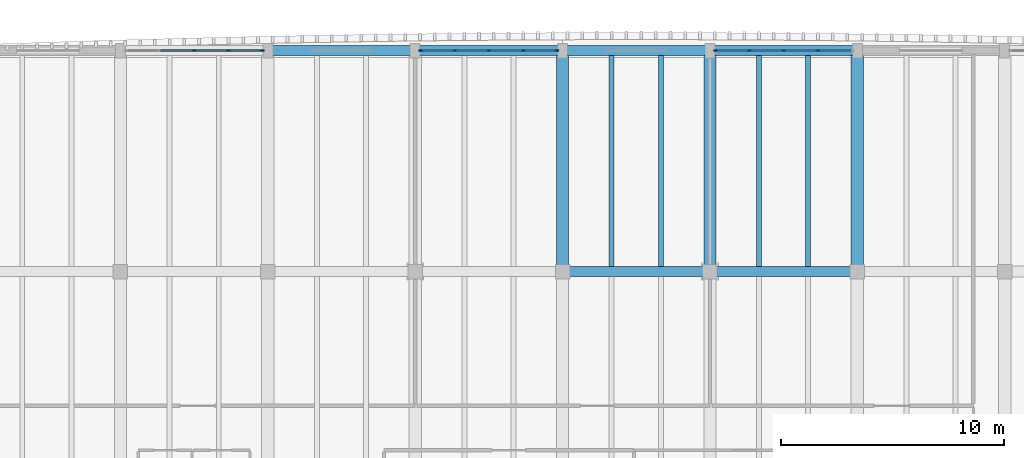
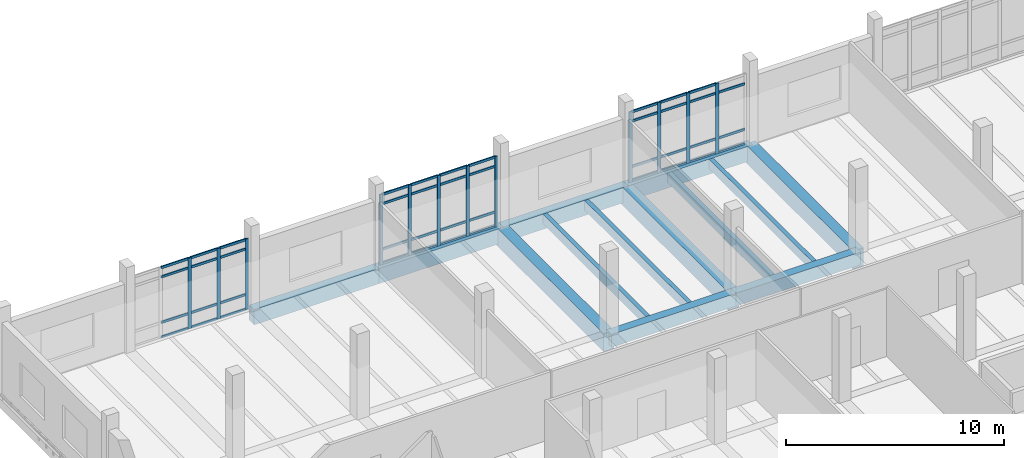
# One storey, part 31 of 76: 55 members, 13 beams, 3 elements without a shape of their own.
"""IFC4 building model written with IfcOpenShell, lengths in metres."""

from ifc_helpers import new_model, si_unit, direction, frame, origin, origin_2d, place, context, subcontext, project, spatial, rectangle, extrude, material, material_profile, profile_set, type_object, element, aggregate, save


model = new_model("IFC4")

# Units and contexts
model_context = context("Model", 3, precision=1e-05, world=origin(), true_north=direction((0.0, 1.0)))
body_context = subcontext(model_context, "Body", "Model", "MODEL_VIEW")
ifc_project = project(units=[si_unit("LENGTHUNIT", "METRE"), si_unit("AREAUNIT", "SQUARE_METRE"), si_unit("VOLUMEUNIT", "CUBIC_METRE"), si_unit("PLANEANGLEUNIT", "RADIAN"), si_unit("MASSUNIT", "GRAM", prefix="KILO")], contexts=[model_context])

# Site, building, storey
site_placement = place(None, origin())
site = spatial("IfcSite", under=ifc_project, at=site_placement, CompositionType="ELEMENT")
building_placement = place(site_placement, origin())
building = spatial("IfcBuilding", under=site, at=building_placement, Name="Dornvale Research Institute", CompositionType="ELEMENT")
storey_placement = place(building_placement, frame((0.0, 0.0, 15.0)))
storey = spatial("IfcBuildingStorey", under=building, at=storey_placement, Name="L03", CompositionType="ELEMENT", Elevation=15.0)

# Beams
ifc_material_1 = material(Name="Concrete f'c 45 MPa (C35/45)", Category="concrete")
ifc_material_profile_1 = material_profile(ifc_material_1, rectangle(XDim=0.449951171875, YDim=0.715087890625, at=origin_2d()), Name="RC 450x715")
ifc_profile_set_1 = profile_set([ifc_material_profile_1], Name="Concrete f'c 45 MPa (C35/45)")
beam_type_1 = type_object("IfcBeamType", Name="Beam_RC450x715_Lab", PredefinedType="BEAM", material=ifc_profile_set_1)
beam_1_placement = place(storey_placement, frame((145.199951171875, 112.199951171875, -0.357421875), z_axis=(1.0, 0.0, 0.0), x_axis=(0.0, 1.0, 0.0)))
element("IfcBeam", 1, at=beam_1_placement, inside=storey, type_object=beam_type_1, Name="L03 primary girder #938", PredefinedType="BEAM", context=body_context, shape_type="SweptSolid", body=[
    extrude(rectangle(XDim=0.449951171875, YDim=0.715087890625, at=origin_2d()), origin(), (0.0, 0.0, 1.0), 6.60009765625),
])
beam_2_placement = place(storey_placement, frame((151.800048828125, 112.199951171875, -0.357421875), z_axis=(1.0, 0.0, 0.0), x_axis=(0.0, 1.0, 0.0)))
element("IfcBeam", 2, at=beam_2_placement, inside=storey, type_object=beam_type_1, Name="L03 primary girder #939", PredefinedType="BEAM", context=body_context, shape_type="SweptSolid", body=[
    extrude(rectangle(XDim=0.449951171875, YDim=0.715087890625, at=origin_2d()), origin(), (0.0, 0.0, 1.0), 6.599853515625),
])
ifc_material_2 = material(Name="Concrete f'c 45 MPa (C35/45)", Category="concrete")
ifc_material_profile_2 = material_profile(ifc_material_2, rectangle(XDim=0.550048828125, YDim=1.0, at=origin_2d()), Name="RC 550x1000")
ifc_profile_set_2 = profile_set([ifc_material_profile_2], Name="Concrete f'c 45 MPa (C35/45)")
beam_type_2 = type_object("IfcBeamType", Name="Beam_RC550x1000_Girder", PredefinedType="BEAM", material=ifc_profile_set_2)
for number, where, z_axis, x_axis, name in (
    (3, (145.199951171875, 112.199951171875, -0.5), (0.0, 1.0, 0.0), (-1.0, 0.0, 0.0), "L03 transverse girder #965"),
    (4, (151.800048828125, 112.199951171875, -0.5), (0.0, 1.0, 0.0), (-1.0, 0.0, 0.0), "L03 transverse girder #968"),
    (5, (158.39990234375, 112.199951171875, -0.5), (0.0, 1.0, 0.0), (-1.0, 0.0, 0.0), "L03 transverse girder #970"),
):
    element("IfcBeam", number, at=place(storey_placement, frame(where, z_axis=z_axis, x_axis=x_axis)), inside=storey, type_object=beam_type_2, Name=name, PredefinedType="BEAM", context=body_context, shape_type="SweptSolid", body=[
        extrude(rectangle(XDim=0.550048828125, YDim=1.0, at=origin_2d()), origin(), (0.0, 0.0, 1.0), 9.900146484375),
    ])
ifc_material_3 = material(Name="Concrete f'c 45 MPa (C35/45)", Category="concrete")
ifc_material_profile_3 = material_profile(ifc_material_3, rectangle(XDim=0.219970703125, YDim=0.534912109375, at=origin_2d()), Name="RC 220x535")
ifc_profile_set_3 = profile_set([ifc_material_profile_3], Name="Concrete f'c 45 MPa (C35/45)")
beam_type_3 = type_object("IfcBeamType", Name="Joist_RC220x535_Waffle", PredefinedType="JOIST", material=ifc_profile_set_3)
for number, where, z_axis, x_axis, name in (
    (6, (147.39990234375, 112.425048828125, -0.267578125), (0.0, 1.0, 0.0), (-1.0, 0.0, 0.0), "L03 laboratory waffle joist #474"),
    (7, (149.60009765625, 112.425048828125, -0.267578125), (0.0, 1.0, 0.0), (-1.0, 0.0, 0.0), "L03 laboratory waffle joist #475"),
    (8, (154.0, 112.425048828125, -0.267578125), (0.0, 1.0, 0.0), (-1.0, 0.0, 0.0), "L03 laboratory waffle joist #478"),
    (9, (156.199951171875, 112.425048828125, -0.267578125), (0.0, 1.0, 0.0), (-1.0, 0.0, 0.0), "L03 laboratory waffle joist #479"),
):
    element("IfcBeam", number, at=place(storey_placement, frame(where, z_axis=z_axis, x_axis=x_axis)), inside=storey, type_object=beam_type_3, Name=name, PredefinedType="JOIST", context=body_context, shape_type="SweptSolid", body=[
        extrude(rectangle(XDim=0.219970703125, YDim=0.534912109375, at=origin_2d()), origin(), (0.0, 0.0, 1.0), 9.449951171875),
    ])

# Curtain wall, members
ifc_material_4 = material(Name="Low-E Argon Double Insulating Glazing Unit", Category="glass")
curtain_wall_type = type_object("IfcCurtainWallType", Name="UnitisedCurtainWall_V4_6150x3950", PredefinedType="USERDEFINED", material=ifc_material_4)
curtain_wall_1_placement = place(storey_placement, origin())
curtain_wall_1 = element("IfcCurtainWall", 10, at=curtain_wall_1_placement, inside=storey, type_object=curtain_wall_type, Name="L03 V4 unitised curtain wall CW-15 #91", ObjectType="UNITISED CURTAIN WALL", PredefinedType="USERDEFINED")
ifc_material_5 = material(Name="Anodized Aluminum AA 6063-T6 Thermally Broken Frame", Category="aluminium")
ifc_material_profile_4 = material_profile(ifc_material_5, rectangle(XDim=0.06494140625, YDim=0.179931640625, at=origin_2d()), Name="ALU MULLION 65x180")
ifc_profile_set_4 = profile_set([ifc_material_profile_4], Name="Anodized Aluminum AA 6063-T6 Thermally Broken Frame")
member_type_1 = type_object("IfcMemberType", Name="Mullion_CW_65x180", PredefinedType="MULLION", material=ifc_profile_set_4)
member_1_placement = place(storey_placement, frame((128.699951171875, 122.10009765625, 0.0), z_axis=(0.0, 0.0, 1.0), x_axis=(0.0, 1.0, 0.0)))
member_1 = element("IfcMember", 11, at=member_1_placement, type_object=member_type_1, Name="CW-15 mullion 3", PredefinedType="MULLION", context=body_context, shape_type="SweptSolid", body=[
    extrude(rectangle(XDim=0.06494140625, YDim=0.179931640625, at=origin_2d()), origin(), (0.0, 0.0, 1.0), 3.949951171875),
])
member_2_placement = place(storey_placement, frame((130.237548828125, 122.10009765625, 0.0), z_axis=(0.0, 0.0, 1.0), x_axis=(0.0, 1.0, 0.0)))
member_2 = element("IfcMember", 12, at=member_2_placement, type_object=member_type_1, Name="CW-15 mullion 4", PredefinedType="MULLION", context=body_context, shape_type="SweptSolid", body=[
    extrude(rectangle(XDim=0.06494140625, YDim=0.179931640625, at=origin_2d()), origin(), (0.0, 0.0, 1.0), 3.949951171875),
])
member_3_placement = place(storey_placement, frame((131.742431640625, 122.10009765625, 0.0), z_axis=(0.0, 0.0, 1.0), x_axis=(0.0, 1.0, 0.0)))
member_3 = element("IfcMember", 13, at=member_3_placement, type_object=member_type_1, Name="CW-15 mullion 5", PredefinedType="MULLION", context=body_context, shape_type="SweptSolid", body=[
    extrude(rectangle(XDim=0.06494140625, YDim=0.179931640625, at=origin_2d()), origin(), (0.0, 0.0, 1.0), 3.949951171875),
])

curtain_wall_2_placement = place(storey_placement, origin())
curtain_wall_2 = element("IfcCurtainWall", 14, at=curtain_wall_2_placement, inside=storey, type_object=curtain_wall_type, Name="L03 V4 unitised curtain wall CW-15 #92", ObjectType="UNITISED CURTAIN WALL", PredefinedType="USERDEFINED")
member_4_placement = place(storey_placement, frame((138.857421875, 122.10009765625, 0.0), z_axis=(0.0, 0.0, 1.0), x_axis=(0.0, 1.0, 0.0)))
member_4 = element("IfcMember", 15, at=member_4_placement, type_object=member_type_1, Name="CW-15 mullion 1", PredefinedType="MULLION", context=body_context, shape_type="SweptSolid", body=[
    extrude(rectangle(XDim=0.06494140625, YDim=0.179931640625, at=origin_2d()), origin(), (0.0, 0.0, 1.0), 3.949951171875),
])
member_5_placement = place(storey_placement, frame((140.362548828125, 122.10009765625, 0.0), z_axis=(0.0, 0.0, 1.0), x_axis=(0.0, 1.0, 0.0)))
member_5 = element("IfcMember", 16, at=member_5_placement, type_object=member_type_1, Name="CW-15 mullion 2", PredefinedType="MULLION", context=body_context, shape_type="SweptSolid", body=[
    extrude(rectangle(XDim=0.06494140625, YDim=0.179931640625, at=origin_2d()), origin(), (0.0, 0.0, 1.0), 3.949951171875),
])
member_6_placement = place(storey_placement, frame((141.89990234375, 122.10009765625, 0.0), z_axis=(0.0, 0.0, 1.0), x_axis=(0.0, 1.0, 0.0)))
member_6 = element("IfcMember", 17, at=member_6_placement, type_object=member_type_1, Name="CW-15 mullion 3", PredefinedType="MULLION", context=body_context, shape_type="SweptSolid", body=[
    extrude(rectangle(XDim=0.06494140625, YDim=0.179931640625, at=origin_2d()), origin(), (0.0, 0.0, 1.0), 3.949951171875),
])
member_7_placement = place(storey_placement, frame((143.4375, 122.10009765625, 0.0), z_axis=(0.0, 0.0, 1.0), x_axis=(0.0, 1.0, 0.0)))
member_7 = element("IfcMember", 18, at=member_7_placement, type_object=member_type_1, Name="CW-15 mullion 4", PredefinedType="MULLION", context=body_context, shape_type="SweptSolid", body=[
    extrude(rectangle(XDim=0.06494140625, YDim=0.179931640625, at=origin_2d()), origin(), (0.0, 0.0, 1.0), 3.949951171875),
])
member_8_placement = place(storey_placement, frame((144.9423828125, 122.10009765625, 0.0), z_axis=(0.0, 0.0, 1.0), x_axis=(0.0, 1.0, 0.0)))
member_8 = element("IfcMember", 19, at=member_8_placement, type_object=member_type_1, Name="CW-15 mullion 5", PredefinedType="MULLION", context=body_context, shape_type="SweptSolid", body=[
    extrude(rectangle(XDim=0.06494140625, YDim=0.179931640625, at=origin_2d()), origin(), (0.0, 0.0, 1.0), 3.949951171875),
])

curtain_wall_3_placement = place(storey_placement, origin())
curtain_wall_3 = element("IfcCurtainWall", 20, at=curtain_wall_3_placement, inside=storey, type_object=curtain_wall_type, Name="L03 V4 unitised curtain wall CW-15 #93", ObjectType="UNITISED CURTAIN WALL", PredefinedType="USERDEFINED")
member_9_placement = place(storey_placement, frame((152.0576171875, 122.10009765625, 0.0), z_axis=(0.0, 0.0, 1.0), x_axis=(0.0, 1.0, 0.0)))
member_9 = element("IfcMember", 21, at=member_9_placement, type_object=member_type_1, Name="CW-15 mullion 1", PredefinedType="MULLION", context=body_context, shape_type="SweptSolid", body=[
    extrude(rectangle(XDim=0.06494140625, YDim=0.179931640625, at=origin_2d()), origin(), (0.0, 0.0, 1.0), 3.949951171875),
])
member_10_placement = place(storey_placement, frame((153.5625, 122.10009765625, 0.0), z_axis=(0.0, 0.0, 1.0), x_axis=(0.0, 1.0, 0.0)))
member_10 = element("IfcMember", 22, at=member_10_placement, type_object=member_type_1, Name="CW-15 mullion 2", PredefinedType="MULLION", context=body_context, shape_type="SweptSolid", body=[
    extrude(rectangle(XDim=0.06494140625, YDim=0.179931640625, at=origin_2d()), origin(), (0.0, 0.0, 1.0), 3.949951171875),
])
member_11_placement = place(storey_placement, frame((155.10009765625, 122.10009765625, 0.0), z_axis=(0.0, 0.0, 1.0), x_axis=(0.0, 1.0, 0.0)))
member_11 = element("IfcMember", 23, at=member_11_placement, type_object=member_type_1, Name="CW-15 mullion 3", PredefinedType="MULLION", context=body_context, shape_type="SweptSolid", body=[
    extrude(rectangle(XDim=0.06494140625, YDim=0.179931640625, at=origin_2d()), origin(), (0.0, 0.0, 1.0), 3.949951171875),
])
member_12_placement = place(storey_placement, frame((156.637451171875, 122.10009765625, 0.0), z_axis=(0.0, 0.0, 1.0), x_axis=(0.0, 1.0, 0.0)))
member_12 = element("IfcMember", 24, at=member_12_placement, type_object=member_type_1, Name="CW-15 mullion 4", PredefinedType="MULLION", context=body_context, shape_type="SweptSolid", body=[
    extrude(rectangle(XDim=0.06494140625, YDim=0.179931640625, at=origin_2d()), origin(), (0.0, 0.0, 1.0), 3.949951171875),
])

# Beams
ifc_material_6 = material(Name="Concrete f'c 45 MPa (C35/45)", Category="concrete")
ifc_material_profile_5 = material_profile(ifc_material_6, rectangle(XDim=0.449951171875, YDim=0.85009765625, at=origin_2d()), Name="RC 450x850")
ifc_profile_set_5 = profile_set([ifc_material_profile_5], Name="Concrete f'c 45 MPa (C35/45)")
beam_type_4 = type_object("IfcBeamType", Name="Spandrel_RC450x850_Ext", PredefinedType="SPANDREL", material=ifc_profile_set_5)
beam_3_placement = place(storey_placement, frame((132.0, 122.10009765625, -0.425048828125), z_axis=(1.0, 0.0, 0.0), x_axis=(0.0, 1.0, 0.0)))
element("IfcBeam", 25, at=beam_3_placement, inside=storey, type_object=beam_type_4, Name="L03 perimeter spandrel #945", PredefinedType="SPANDREL", context=body_context, shape_type="SweptSolid", body=[
    extrude(rectangle(XDim=0.449951171875, YDim=0.85009765625, at=origin_2d()), origin(), (0.0, 0.0, 1.0), 6.60009765625),
])
beam_4_placement = place(storey_placement, frame((138.60009765625, 122.10009765625, -0.425048828125), z_axis=(1.0, 0.0, 0.0), x_axis=(0.0, 1.0, 0.0)))
element("IfcBeam", 26, at=beam_4_placement, inside=storey, type_object=beam_type_4, Name="L03 perimeter spandrel #946", PredefinedType="SPANDREL", context=body_context, shape_type="SweptSolid", body=[
    extrude(rectangle(XDim=0.449951171875, YDim=0.85009765625, at=origin_2d()), origin(), (0.0, 0.0, 1.0), 6.599853515625),
])
beam_5_placement = place(storey_placement, frame((145.199951171875, 122.10009765625, -0.425048828125), z_axis=(1.0, 0.0, 0.0), x_axis=(0.0, 1.0, 0.0)))
element("IfcBeam", 27, at=beam_5_placement, inside=storey, type_object=beam_type_4, Name="L03 perimeter spandrel #947", PredefinedType="SPANDREL", context=body_context, shape_type="SweptSolid", body=[
    extrude(rectangle(XDim=0.449951171875, YDim=0.85009765625, at=origin_2d()), origin(), (0.0, 0.0, 1.0), 6.60009765625),
])
beam_6_placement = place(storey_placement, frame((151.800048828125, 122.10009765625, -0.425048828125), z_axis=(1.0, 0.0, 0.0), x_axis=(0.0, 1.0, 0.0)))
element("IfcBeam", 28, at=beam_6_placement, inside=storey, type_object=beam_type_4, Name="L03 perimeter spandrel #948", PredefinedType="SPANDREL", context=body_context, shape_type="SweptSolid", body=[
    extrude(rectangle(XDim=0.449951171875, YDim=0.85009765625, at=origin_2d()), origin(), (0.0, 0.0, 1.0), 6.599853515625),
])

# Member
ifc_material_7 = material(Name="Anodized Aluminum AA 6063-T6 Thermally Broken Frame", Category="aluminium")
ifc_material_profile_6 = material_profile(ifc_material_7, rectangle(XDim=0.06494140625, YDim=0.135009765625, at=origin_2d()), Name="ALU TRANSOM 65x135")
ifc_profile_set_6 = profile_set([ifc_material_profile_6], Name="Anodized Aluminum AA 6063-T6 Thermally Broken Frame")
member_type_2 = type_object("IfcMemberType", Name="Transom_CW_65x135", PredefinedType="USERDEFINED", material=ifc_profile_set_6)
member_13_placement = place(storey_placement, frame((127.195068359375, 122.10009765625, 0.032470703125), z_axis=(1.0, 0.0, 0.0), x_axis=(0.0, 1.0, 0.0)))
member_13 = element("IfcMember", 29, at=member_13_placement, type_object=member_type_2, Name="CW-15 transom 2.1", ObjectType="TRANSOM", PredefinedType="USERDEFINED", context=body_context, shape_type="SweptSolid", body=[
    extrude(rectangle(XDim=0.06494140625, YDim=0.135009765625, at=origin_2d()), origin(), (0.0, 0.0, 1.0), 1.472412109375),
])

member_14_placement = place(storey_placement, frame((127.195068359375, 122.10009765625, 0.85009765625), z_axis=(1.0, 0.0, 0.0), x_axis=(0.0, 1.0, 0.0)))
member_14 = element("IfcMember", 30, at=member_14_placement, type_object=member_type_2, Name="CW-15 transom 2.2", ObjectType="TRANSOM", PredefinedType="USERDEFINED", context=body_context, shape_type="SweptSolid", body=[
    extrude(rectangle(XDim=0.06494140625, YDim=0.135009765625, at=origin_2d()), origin(), (0.0, 0.0, 1.0), 1.472412109375),
])

member_15_placement = place(storey_placement, frame((127.195068359375, 122.10009765625, 3.39990234375), z_axis=(1.0, 0.0, 0.0), x_axis=(0.0, 1.0, 0.0)))
member_15 = element("IfcMember", 31, at=member_15_placement, type_object=member_type_2, Name="CW-15 transom 2.3", ObjectType="TRANSOM", PredefinedType="USERDEFINED", context=body_context, shape_type="SweptSolid", body=[
    extrude(rectangle(XDim=0.06494140625, YDim=0.135009765625, at=origin_2d()), origin(), (0.0, 0.0, 1.0), 1.472412109375),
])

member_16_placement = place(storey_placement, frame((127.195068359375, 122.10009765625, 3.91748046875), z_axis=(1.0, 0.0, 0.0), x_axis=(0.0, 1.0, 0.0)))
member_16 = element("IfcMember", 32, at=member_16_placement, type_object=member_type_2, Name="CW-15 transom 2.4", ObjectType="TRANSOM", PredefinedType="USERDEFINED", context=body_context, shape_type="SweptSolid", body=[
    extrude(rectangle(XDim=0.06494140625, YDim=0.135009765625, at=origin_2d()), origin(), (0.0, 0.0, 1.0), 1.472412109375),
])

member_17_placement = place(storey_placement, frame((128.732421875, 122.10009765625, 0.032470703125), z_axis=(1.0, 0.0, 0.0), x_axis=(0.0, 1.0, 0.0)))
member_17 = element("IfcMember", 33, at=member_17_placement, type_object=member_type_2, Name="CW-15 transom 3.1", ObjectType="TRANSOM", PredefinedType="USERDEFINED", context=body_context, shape_type="SweptSolid", body=[
    extrude(rectangle(XDim=0.06494140625, YDim=0.135009765625, at=origin_2d()), origin(), (0.0, 0.0, 1.0), 1.47265625),
])

member_18_placement = place(storey_placement, frame((128.732421875, 122.10009765625, 0.85009765625), z_axis=(1.0, 0.0, 0.0), x_axis=(0.0, 1.0, 0.0)))
member_18 = element("IfcMember", 34, at=member_18_placement, type_object=member_type_2, Name="CW-15 transom 3.2", ObjectType="TRANSOM", PredefinedType="USERDEFINED", context=body_context, shape_type="SweptSolid", body=[
    extrude(rectangle(XDim=0.06494140625, YDim=0.135009765625, at=origin_2d()), origin(), (0.0, 0.0, 1.0), 1.47265625),
])

member_19_placement = place(storey_placement, frame((128.732421875, 122.10009765625, 3.39990234375), z_axis=(1.0, 0.0, 0.0), x_axis=(0.0, 1.0, 0.0)))
member_19 = element("IfcMember", 35, at=member_19_placement, type_object=member_type_2, Name="CW-15 transom 3.3", ObjectType="TRANSOM", PredefinedType="USERDEFINED", context=body_context, shape_type="SweptSolid", body=[
    extrude(rectangle(XDim=0.06494140625, YDim=0.135009765625, at=origin_2d()), origin(), (0.0, 0.0, 1.0), 1.47265625),
])

member_20_placement = place(storey_placement, frame((128.732421875, 122.10009765625, 3.91748046875), z_axis=(1.0, 0.0, 0.0), x_axis=(0.0, 1.0, 0.0)))
member_20 = element("IfcMember", 36, at=member_20_placement, type_object=member_type_2, Name="CW-15 transom 3.4", ObjectType="TRANSOM", PredefinedType="USERDEFINED", context=body_context, shape_type="SweptSolid", body=[
    extrude(rectangle(XDim=0.06494140625, YDim=0.135009765625, at=origin_2d()), origin(), (0.0, 0.0, 1.0), 1.47265625),
])

member_21_placement = place(storey_placement, frame((130.27001953125, 122.10009765625, 0.032470703125), z_axis=(1.0, 0.0, 0.0), x_axis=(0.0, 1.0, 0.0)))
member_21 = element("IfcMember", 37, at=member_21_placement, type_object=member_type_2, Name="CW-15 transom 4.1", ObjectType="TRANSOM", PredefinedType="USERDEFINED", context=body_context, shape_type="SweptSolid", body=[
    extrude(rectangle(XDim=0.06494140625, YDim=0.135009765625, at=origin_2d()), origin(), (0.0, 0.0, 1.0), 1.43994140625),
])

member_22_placement = place(storey_placement, frame((130.27001953125, 122.10009765625, 0.85009765625), z_axis=(1.0, 0.0, 0.0), x_axis=(0.0, 1.0, 0.0)))
member_22 = element("IfcMember", 38, at=member_22_placement, type_object=member_type_2, Name="CW-15 transom 4.2", ObjectType="TRANSOM", PredefinedType="USERDEFINED", context=body_context, shape_type="SweptSolid", body=[
    extrude(rectangle(XDim=0.06494140625, YDim=0.135009765625, at=origin_2d()), origin(), (0.0, 0.0, 1.0), 1.43994140625),
])

member_23_placement = place(storey_placement, frame((130.27001953125, 122.10009765625, 3.39990234375), z_axis=(1.0, 0.0, 0.0), x_axis=(0.0, 1.0, 0.0)))
member_23 = element("IfcMember", 39, at=member_23_placement, type_object=member_type_2, Name="CW-15 transom 4.3", ObjectType="TRANSOM", PredefinedType="USERDEFINED", context=body_context, shape_type="SweptSolid", body=[
    extrude(rectangle(XDim=0.06494140625, YDim=0.135009765625, at=origin_2d()), origin(), (0.0, 0.0, 1.0), 1.43994140625),
])

member_24_placement = place(storey_placement, frame((130.27001953125, 122.10009765625, 3.91748046875), z_axis=(1.0, 0.0, 0.0), x_axis=(0.0, 1.0, 0.0)))
member_24 = element("IfcMember", 40, at=member_24_placement, type_object=member_type_2, Name="CW-15 transom 4.4", ObjectType="TRANSOM", PredefinedType="USERDEFINED", context=body_context, shape_type="SweptSolid", body=[
    extrude(rectangle(XDim=0.06494140625, YDim=0.135009765625, at=origin_2d()), origin(), (0.0, 0.0, 1.0), 1.43994140625),
])

aggregate(curtain_wall_1, [member_1, member_2, member_3, member_13, member_14, member_15, member_16, member_17, member_18, member_19, member_20, member_21, member_22, member_23, member_24])

member_25_placement = place(storey_placement, frame((138.889892578125, 122.10009765625, 0.032470703125), z_axis=(1.0, 0.0, 0.0), x_axis=(0.0, 1.0, 0.0)))
member_25 = element("IfcMember", 41, at=member_25_placement, type_object=member_type_2, Name="CW-15 transom 1.1", ObjectType="TRANSOM", PredefinedType="USERDEFINED", context=body_context, shape_type="SweptSolid", body=[
    extrude(rectangle(XDim=0.06494140625, YDim=0.135009765625, at=origin_2d()), origin(), (0.0, 0.0, 1.0), 1.440185546875),
])

member_26_placement = place(storey_placement, frame((138.889892578125, 122.10009765625, 0.85009765625), z_axis=(1.0, 0.0, 0.0), x_axis=(0.0, 1.0, 0.0)))
member_26 = element("IfcMember", 42, at=member_26_placement, type_object=member_type_2, Name="CW-15 transom 1.2", ObjectType="TRANSOM", PredefinedType="USERDEFINED", context=body_context, shape_type="SweptSolid", body=[
    extrude(rectangle(XDim=0.06494140625, YDim=0.135009765625, at=origin_2d()), origin(), (0.0, 0.0, 1.0), 1.440185546875),
])

member_27_placement = place(storey_placement, frame((138.889892578125, 122.10009765625, 3.39990234375), z_axis=(1.0, 0.0, 0.0), x_axis=(0.0, 1.0, 0.0)))
member_27 = element("IfcMember", 43, at=member_27_placement, type_object=member_type_2, Name="CW-15 transom 1.3", ObjectType="TRANSOM", PredefinedType="USERDEFINED", context=body_context, shape_type="SweptSolid", body=[
    extrude(rectangle(XDim=0.06494140625, YDim=0.135009765625, at=origin_2d()), origin(), (0.0, 0.0, 1.0), 1.440185546875),
])

member_28_placement = place(storey_placement, frame((138.889892578125, 122.10009765625, 3.91748046875), z_axis=(1.0, 0.0, 0.0), x_axis=(0.0, 1.0, 0.0)))
member_28 = element("IfcMember", 44, at=member_28_placement, type_object=member_type_2, Name="CW-15 transom 1.4", ObjectType="TRANSOM", PredefinedType="USERDEFINED", context=body_context, shape_type="SweptSolid", body=[
    extrude(rectangle(XDim=0.06494140625, YDim=0.135009765625, at=origin_2d()), origin(), (0.0, 0.0, 1.0), 1.440185546875),
])

member_29_placement = place(storey_placement, frame((140.39501953125, 122.10009765625, 0.032470703125), z_axis=(1.0, 0.0, 0.0), x_axis=(0.0, 1.0, 0.0)))
member_29 = element("IfcMember", 45, at=member_29_placement, type_object=member_type_2, Name="CW-15 transom 2.1", ObjectType="TRANSOM", PredefinedType="USERDEFINED", context=body_context, shape_type="SweptSolid", body=[
    extrude(rectangle(XDim=0.06494140625, YDim=0.135009765625, at=origin_2d()), origin(), (0.0, 0.0, 1.0), 1.472412109375),
])

member_30_placement = place(storey_placement, frame((140.39501953125, 122.10009765625, 0.85009765625), z_axis=(1.0, 0.0, 0.0), x_axis=(0.0, 1.0, 0.0)))
member_30 = element("IfcMember", 46, at=member_30_placement, type_object=member_type_2, Name="CW-15 transom 2.2", ObjectType="TRANSOM", PredefinedType="USERDEFINED", context=body_context, shape_type="SweptSolid", body=[
    extrude(rectangle(XDim=0.06494140625, YDim=0.135009765625, at=origin_2d()), origin(), (0.0, 0.0, 1.0), 1.472412109375),
])

member_31_placement = place(storey_placement, frame((140.39501953125, 122.10009765625, 3.39990234375), z_axis=(1.0, 0.0, 0.0), x_axis=(0.0, 1.0, 0.0)))
member_31 = element("IfcMember", 47, at=member_31_placement, type_object=member_type_2, Name="CW-15 transom 2.3", ObjectType="TRANSOM", PredefinedType="USERDEFINED", context=body_context, shape_type="SweptSolid", body=[
    extrude(rectangle(XDim=0.06494140625, YDim=0.135009765625, at=origin_2d()), origin(), (0.0, 0.0, 1.0), 1.472412109375),
])

member_32_placement = place(storey_placement, frame((140.39501953125, 122.10009765625, 3.91748046875), z_axis=(1.0, 0.0, 0.0), x_axis=(0.0, 1.0, 0.0)))
member_32 = element("IfcMember", 48, at=member_32_placement, type_object=member_type_2, Name="CW-15 transom 2.4", ObjectType="TRANSOM", PredefinedType="USERDEFINED", context=body_context, shape_type="SweptSolid", body=[
    extrude(rectangle(XDim=0.06494140625, YDim=0.135009765625, at=origin_2d()), origin(), (0.0, 0.0, 1.0), 1.472412109375),
])

member_33_placement = place(storey_placement, frame((141.9326171875, 122.10009765625, 0.032470703125), z_axis=(1.0, 0.0, 0.0), x_axis=(0.0, 1.0, 0.0)))
member_33 = element("IfcMember", 49, at=member_33_placement, type_object=member_type_2, Name="CW-15 transom 3.1", ObjectType="TRANSOM", PredefinedType="USERDEFINED", context=body_context, shape_type="SweptSolid", body=[
    extrude(rectangle(XDim=0.06494140625, YDim=0.135009765625, at=origin_2d()), origin(), (0.0, 0.0, 1.0), 1.472412109375),
])

member_34_placement = place(storey_placement, frame((141.9326171875, 122.10009765625, 0.85009765625), z_axis=(1.0, 0.0, 0.0), x_axis=(0.0, 1.0, 0.0)))
member_34 = element("IfcMember", 50, at=member_34_placement, type_object=member_type_2, Name="CW-15 transom 3.2", ObjectType="TRANSOM", PredefinedType="USERDEFINED", context=body_context, shape_type="SweptSolid", body=[
    extrude(rectangle(XDim=0.06494140625, YDim=0.135009765625, at=origin_2d()), origin(), (0.0, 0.0, 1.0), 1.472412109375),
])

member_35_placement = place(storey_placement, frame((141.9326171875, 122.10009765625, 3.39990234375), z_axis=(1.0, 0.0, 0.0), x_axis=(0.0, 1.0, 0.0)))
member_35 = element("IfcMember", 51, at=member_35_placement, type_object=member_type_2, Name="CW-15 transom 3.3", ObjectType="TRANSOM", PredefinedType="USERDEFINED", context=body_context, shape_type="SweptSolid", body=[
    extrude(rectangle(XDim=0.06494140625, YDim=0.135009765625, at=origin_2d()), origin(), (0.0, 0.0, 1.0), 1.472412109375),
])

member_36_placement = place(storey_placement, frame((141.9326171875, 122.10009765625, 3.91748046875), z_axis=(1.0, 0.0, 0.0), x_axis=(0.0, 1.0, 0.0)))
member_36 = element("IfcMember", 52, at=member_36_placement, type_object=member_type_2, Name="CW-15 transom 3.4", ObjectType="TRANSOM", PredefinedType="USERDEFINED", context=body_context, shape_type="SweptSolid", body=[
    extrude(rectangle(XDim=0.06494140625, YDim=0.135009765625, at=origin_2d()), origin(), (0.0, 0.0, 1.0), 1.472412109375),
])

member_37_placement = place(storey_placement, frame((143.469970703125, 122.10009765625, 0.032470703125), z_axis=(1.0, 0.0, 0.0), x_axis=(0.0, 1.0, 0.0)))
member_37 = element("IfcMember", 53, at=member_37_placement, type_object=member_type_2, Name="CW-15 transom 4.1", ObjectType="TRANSOM", PredefinedType="USERDEFINED", context=body_context, shape_type="SweptSolid", body=[
    extrude(rectangle(XDim=0.06494140625, YDim=0.135009765625, at=origin_2d()), origin(), (0.0, 0.0, 1.0), 1.43994140625),
])

member_38_placement = place(storey_placement, frame((143.469970703125, 122.10009765625, 0.85009765625), z_axis=(1.0, 0.0, 0.0), x_axis=(0.0, 1.0, 0.0)))
member_38 = element("IfcMember", 54, at=member_38_placement, type_object=member_type_2, Name="CW-15 transom 4.2", ObjectType="TRANSOM", PredefinedType="USERDEFINED", context=body_context, shape_type="SweptSolid", body=[
    extrude(rectangle(XDim=0.06494140625, YDim=0.135009765625, at=origin_2d()), origin(), (0.0, 0.0, 1.0), 1.43994140625),
])

member_39_placement = place(storey_placement, frame((143.469970703125, 122.10009765625, 3.39990234375), z_axis=(1.0, 0.0, 0.0), x_axis=(0.0, 1.0, 0.0)))
member_39 = element("IfcMember", 55, at=member_39_placement, type_object=member_type_2, Name="CW-15 transom 4.3", ObjectType="TRANSOM", PredefinedType="USERDEFINED", context=body_context, shape_type="SweptSolid", body=[
    extrude(rectangle(XDim=0.06494140625, YDim=0.135009765625, at=origin_2d()), origin(), (0.0, 0.0, 1.0), 1.43994140625),
])

member_40_placement = place(storey_placement, frame((143.469970703125, 122.10009765625, 3.91748046875), z_axis=(1.0, 0.0, 0.0), x_axis=(0.0, 1.0, 0.0)))
member_40 = element("IfcMember", 56, at=member_40_placement, type_object=member_type_2, Name="CW-15 transom 4.4", ObjectType="TRANSOM", PredefinedType="USERDEFINED", context=body_context, shape_type="SweptSolid", body=[
    extrude(rectangle(XDim=0.06494140625, YDim=0.135009765625, at=origin_2d()), origin(), (0.0, 0.0, 1.0), 1.43994140625),
])

aggregate(curtain_wall_2, [member_4, member_5, member_6, member_7, member_8, member_25, member_26, member_27, member_28, member_29, member_30, member_31, member_32, member_33, member_34, member_35, member_36, member_37, member_38, member_39, member_40])

member_41_placement = place(storey_placement, frame((152.090087890625, 122.10009765625, 0.032470703125), z_axis=(1.0, 0.0, 0.0), x_axis=(0.0, 1.0, 0.0)))
member_41 = element("IfcMember", 57, at=member_41_placement, type_object=member_type_2, Name="CW-15 transom 1.1", ObjectType="TRANSOM", PredefinedType="USERDEFINED", context=body_context, shape_type="SweptSolid", body=[
    extrude(rectangle(XDim=0.06494140625, YDim=0.135009765625, at=origin_2d()), origin(), (0.0, 0.0, 1.0), 1.43994140625),
])

member_42_placement = place(storey_placement, frame((152.090087890625, 122.10009765625, 0.85009765625), z_axis=(1.0, 0.0, 0.0), x_axis=(0.0, 1.0, 0.0)))
member_42 = element("IfcMember", 58, at=member_42_placement, type_object=member_type_2, Name="CW-15 transom 1.2", ObjectType="TRANSOM", PredefinedType="USERDEFINED", context=body_context, shape_type="SweptSolid", body=[
    extrude(rectangle(XDim=0.06494140625, YDim=0.135009765625, at=origin_2d()), origin(), (0.0, 0.0, 1.0), 1.43994140625),
])

member_43_placement = place(storey_placement, frame((152.090087890625, 122.10009765625, 3.39990234375), z_axis=(1.0, 0.0, 0.0), x_axis=(0.0, 1.0, 0.0)))
member_43 = element("IfcMember", 59, at=member_43_placement, type_object=member_type_2, Name="CW-15 transom 1.3", ObjectType="TRANSOM", PredefinedType="USERDEFINED", context=body_context, shape_type="SweptSolid", body=[
    extrude(rectangle(XDim=0.06494140625, YDim=0.135009765625, at=origin_2d()), origin(), (0.0, 0.0, 1.0), 1.43994140625),
])

member_44_placement = place(storey_placement, frame((152.090087890625, 122.10009765625, 3.91748046875), z_axis=(1.0, 0.0, 0.0), x_axis=(0.0, 1.0, 0.0)))
member_44 = element("IfcMember", 60, at=member_44_placement, type_object=member_type_2, Name="CW-15 transom 1.4", ObjectType="TRANSOM", PredefinedType="USERDEFINED", context=body_context, shape_type="SweptSolid", body=[
    extrude(rectangle(XDim=0.06494140625, YDim=0.135009765625, at=origin_2d()), origin(), (0.0, 0.0, 1.0), 1.43994140625),
])

member_45_placement = place(storey_placement, frame((153.594970703125, 122.10009765625, 0.032470703125), z_axis=(1.0, 0.0, 0.0), x_axis=(0.0, 1.0, 0.0)))
member_45 = element("IfcMember", 61, at=member_45_placement, type_object=member_type_2, Name="CW-15 transom 2.1", ObjectType="TRANSOM", PredefinedType="USERDEFINED", context=body_context, shape_type="SweptSolid", body=[
    extrude(rectangle(XDim=0.06494140625, YDim=0.135009765625, at=origin_2d()), origin(), (0.0, 0.0, 1.0), 1.472412109375),
])

member_46_placement = place(storey_placement, frame((153.594970703125, 122.10009765625, 0.85009765625), z_axis=(1.0, 0.0, 0.0), x_axis=(0.0, 1.0, 0.0)))
member_46 = element("IfcMember", 62, at=member_46_placement, type_object=member_type_2, Name="CW-15 transom 2.2", ObjectType="TRANSOM", PredefinedType="USERDEFINED", context=body_context, shape_type="SweptSolid", body=[
    extrude(rectangle(XDim=0.06494140625, YDim=0.135009765625, at=origin_2d()), origin(), (0.0, 0.0, 1.0), 1.472412109375),
])

member_47_placement = place(storey_placement, frame((153.594970703125, 122.10009765625, 3.39990234375), z_axis=(1.0, 0.0, 0.0), x_axis=(0.0, 1.0, 0.0)))
member_47 = element("IfcMember", 63, at=member_47_placement, type_object=member_type_2, Name="CW-15 transom 2.3", ObjectType="TRANSOM", PredefinedType="USERDEFINED", context=body_context, shape_type="SweptSolid", body=[
    extrude(rectangle(XDim=0.06494140625, YDim=0.135009765625, at=origin_2d()), origin(), (0.0, 0.0, 1.0), 1.472412109375),
])

member_48_placement = place(storey_placement, frame((153.594970703125, 122.10009765625, 3.91748046875), z_axis=(1.0, 0.0, 0.0), x_axis=(0.0, 1.0, 0.0)))
member_48 = element("IfcMember", 64, at=member_48_placement, type_object=member_type_2, Name="CW-15 transom 2.4", ObjectType="TRANSOM", PredefinedType="USERDEFINED", context=body_context, shape_type="SweptSolid", body=[
    extrude(rectangle(XDim=0.06494140625, YDim=0.135009765625, at=origin_2d()), origin(), (0.0, 0.0, 1.0), 1.472412109375),
])

member_49_placement = place(storey_placement, frame((155.132568359375, 122.10009765625, 0.032470703125), z_axis=(1.0, 0.0, 0.0), x_axis=(0.0, 1.0, 0.0)))
member_49 = element("IfcMember", 65, at=member_49_placement, type_object=member_type_2, Name="CW-15 transom 3.1", ObjectType="TRANSOM", PredefinedType="USERDEFINED", context=body_context, shape_type="SweptSolid", body=[
    extrude(rectangle(XDim=0.06494140625, YDim=0.135009765625, at=origin_2d()), origin(), (0.0, 0.0, 1.0), 1.472412109375),
])

member_50_placement = place(storey_placement, frame((155.132568359375, 122.10009765625, 0.85009765625), z_axis=(1.0, 0.0, 0.0), x_axis=(0.0, 1.0, 0.0)))
member_50 = element("IfcMember", 66, at=member_50_placement, type_object=member_type_2, Name="CW-15 transom 3.2", ObjectType="TRANSOM", PredefinedType="USERDEFINED", context=body_context, shape_type="SweptSolid", body=[
    extrude(rectangle(XDim=0.06494140625, YDim=0.135009765625, at=origin_2d()), origin(), (0.0, 0.0, 1.0), 1.472412109375),
])

member_51_placement = place(storey_placement, frame((155.132568359375, 122.10009765625, 3.39990234375), z_axis=(1.0, 0.0, 0.0), x_axis=(0.0, 1.0, 0.0)))
member_51 = element("IfcMember", 67, at=member_51_placement, type_object=member_type_2, Name="CW-15 transom 3.3", ObjectType="TRANSOM", PredefinedType="USERDEFINED", context=body_context, shape_type="SweptSolid", body=[
    extrude(rectangle(XDim=0.06494140625, YDim=0.135009765625, at=origin_2d()), origin(), (0.0, 0.0, 1.0), 1.472412109375),
])

member_52_placement = place(storey_placement, frame((155.132568359375, 122.10009765625, 3.91748046875), z_axis=(1.0, 0.0, 0.0), x_axis=(0.0, 1.0, 0.0)))
member_52 = element("IfcMember", 68, at=member_52_placement, type_object=member_type_2, Name="CW-15 transom 3.4", ObjectType="TRANSOM", PredefinedType="USERDEFINED", context=body_context, shape_type="SweptSolid", body=[
    extrude(rectangle(XDim=0.06494140625, YDim=0.135009765625, at=origin_2d()), origin(), (0.0, 0.0, 1.0), 1.472412109375),
])

member_53_placement = place(storey_placement, frame((156.669921875, 122.10009765625, 0.032470703125), z_axis=(1.0, 0.0, 0.0), x_axis=(0.0, 1.0, 0.0)))
member_53 = element("IfcMember", 69, at=member_53_placement, type_object=member_type_2, Name="CW-15 transom 4.1", ObjectType="TRANSOM", PredefinedType="USERDEFINED", context=body_context, shape_type="SweptSolid", body=[
    extrude(rectangle(XDim=0.06494140625, YDim=0.135009765625, at=origin_2d()), origin(), (0.0, 0.0, 1.0), 1.440185546875),
])

member_54_placement = place(storey_placement, frame((156.669921875, 122.10009765625, 0.85009765625), z_axis=(1.0, 0.0, 0.0), x_axis=(0.0, 1.0, 0.0)))
member_54 = element("IfcMember", 70, at=member_54_placement, type_object=member_type_2, Name="CW-15 transom 4.2", ObjectType="TRANSOM", PredefinedType="USERDEFINED", context=body_context, shape_type="SweptSolid", body=[
    extrude(rectangle(XDim=0.06494140625, YDim=0.135009765625, at=origin_2d()), origin(), (0.0, 0.0, 1.0), 1.440185546875),
])

member_55_placement = place(storey_placement, frame((156.669921875, 122.10009765625, 3.39990234375), z_axis=(1.0, 0.0, 0.0), x_axis=(0.0, 1.0, 0.0)))
member_55 = element("IfcMember", 71, at=member_55_placement, type_object=member_type_2, Name="CW-15 transom 4.3", ObjectType="TRANSOM", PredefinedType="USERDEFINED", context=body_context, shape_type="SweptSolid", body=[
    extrude(rectangle(XDim=0.06494140625, YDim=0.135009765625, at=origin_2d()), origin(), (0.0, 0.0, 1.0), 1.440185546875),
])

aggregate(curtain_wall_3, [member_9, member_10, member_11, member_12, member_41, member_42, member_43, member_44, member_45, member_46, member_47, member_48, member_49, member_50, member_51, member_52, member_53, member_54, member_55])

save(model, "model.ifc")
